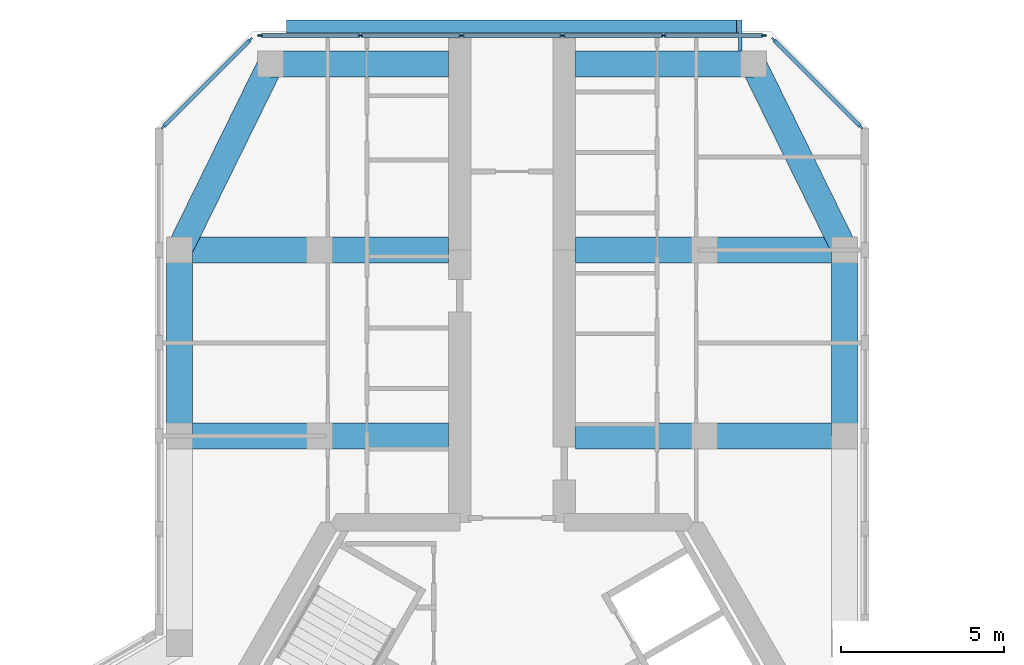
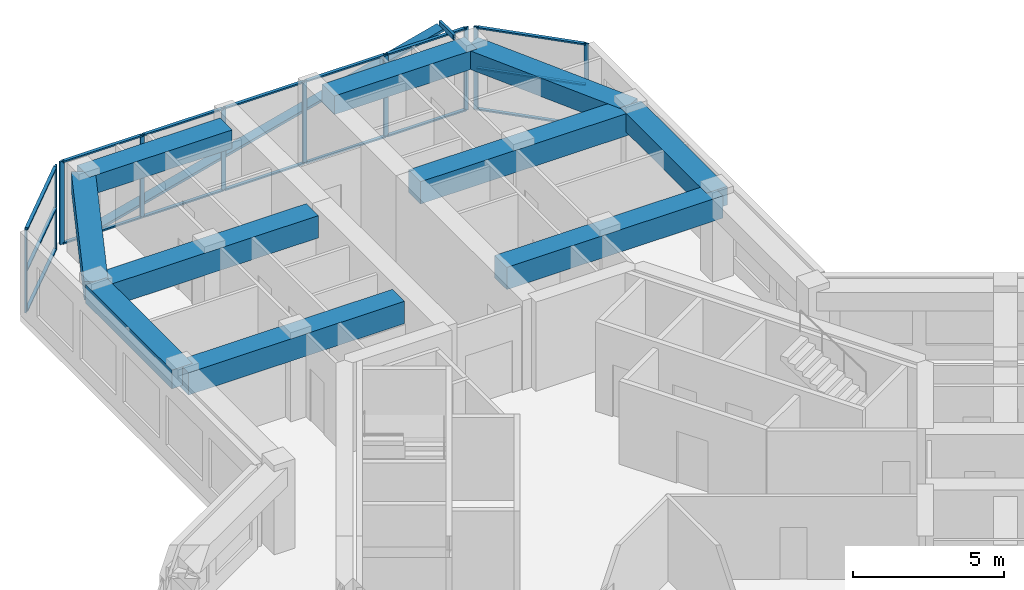
# One storey, part 5 of 14: 28 members, 10 beams, 3 elements without a shape of their own.
"""IFC4 building model written with IfcOpenShell, lengths in metres."""

from ifc_helpers import new_model, si_unit, direction, frame, origin, origin_2d, place, context, subcontext, project, spatial, rectangle, hollow_rectangle, extrude, material, material_profile, profile_set, type_object, element, aggregate, save


model = new_model("IFC4")

# Units and contexts
model_context = context("Model", 3, precision=1e-05, world=origin(), true_north=direction((0.0, 1.0)))
body_context = subcontext(model_context, "Body", "Model", "MODEL_VIEW")
ifc_project = project(units=[si_unit("LENGTHUNIT", "METRE"), si_unit("AREAUNIT", "SQUARE_METRE"), si_unit("VOLUMEUNIT", "CUBIC_METRE"), si_unit("PLANEANGLEUNIT", "RADIAN"), si_unit("MASSUNIT", "GRAM", prefix="KILO")], contexts=[model_context])

# Site, building, storey
site_placement = place(None, origin())
site = spatial("IfcSite", under=ifc_project, at=site_placement, CompositionType="ELEMENT")
building_placement = place(site_placement, origin())
building = spatial("IfcBuilding", under=site, at=building_placement, Name="Kosmar Iwan School Tower", CompositionType="ELEMENT")
storey_placement = place(building_placement, frame((0.0, 0.0, 274.60009765625)))
storey = spatial("IfcBuildingStorey", under=building, at=storey_placement, Name="L69", CompositionType="ELEMENT", Elevation=274.60009765625)

# Members
ifc_material_1 = material(Name="Black anodised aluminium", Category="aluminium")
ifc_material_profile_1 = material_profile(ifc_material_1, rectangle(XDim=0.10009765625, YDim=0.39990234375, at=origin_2d()), Name="FIN 100x400")
ifc_profile_set_1 = profile_set([ifc_material_profile_1], Name="Black anodised aluminium")
member_type_1 = type_object("IfcMemberType", Name="Diagonal fin 100x400", PredefinedType="USERDEFINED", material=ifc_profile_set_1)
member_1_placement = place(storey_placement, frame((-6.898193359375, 24.800048828125, -0.150146484375), z_axis=(0.967599450335, 0.0, 0.252490205179), x_axis=(-0.252490205179, 0.0, 0.967599450335)))
element("IfcMember", 1, at=member_1_placement, inside=storey, type_object=member_type_1, Name="Diagonal fin L69-F08", ObjectType="FIN", PredefinedType="USERDEFINED", context=body_context, shape_type="SweptSolid", body=[
    extrude(rectangle(XDim=0.10009765625, YDim=0.39990234375, at=origin_2d()), origin(), (0.0, 0.0, 1.0), 14.25830078125),
])
ifc_material_2 = material(Name="Steel S355", Category="steel")
ifc_material_profile_2 = material_profile(ifc_material_2, hollow_rectangle(XDim=0.10009765625, YDim=0.199951171875, WallThickness=0.008056640625, at=origin_2d()), Name="RHS 200x100x8")
ifc_profile_set_2 = profile_set([ifc_material_profile_2], Name="Steel S355")
member_type_2 = type_object("IfcMemberType", Name="Fin bracket RHS 200x100", PredefinedType="USERDEFINED", material=ifc_profile_set_2)
member_2_placement = place(storey_placement, frame((7.0, 24.050048828125, 3.474853515625), z_axis=(0.0, 1.0, 0.0), x_axis=(-1.0, 0.0, 0.0)))
element("IfcMember", 2, at=member_2_placement, inside=storey, type_object=member_type_2, Name="Fin bracket L70", ObjectType="FIN BRACKET", PredefinedType="USERDEFINED", context=body_context, shape_type="SweptSolid", body=[
    extrude(hollow_rectangle(XDim=0.10009765625, YDim=0.199951171875, WallThickness=0.008056640625, at=origin_2d()), origin(), (0.0, 0.0, 1.0), 0.949951171875),
])

# Curtain wall, members
ifc_material_3 = material(Name="Dark glass in black aluminium frame", Category="aluminium")
curtain_wall_type_1 = type_object("IfcCurtainWallType", Name="Chamfer curtain wall dark glass", PredefinedType="USERDEFINED", material=ifc_material_3)
curtain_wall_1_placement = place(storey_placement, origin())
curtain_wall_1 = element("IfcCurtainWall", 3, at=curtain_wall_1_placement, inside=storey, type_object=curtain_wall_type_1, Name="Curtain wall L69-F07", ObjectType="FACETED CURTAIN WALL", PredefinedType="USERDEFINED")
ifc_material_4 = material(Name="Black anodised aluminium", Category="aluminium")
ifc_material_profile_3 = material_profile(ifc_material_4, rectangle(XDim=0.06005859375, YDim=0.159912109375, at=origin_2d()), Name="MULLION 60x160")
ifc_profile_set_3 = profile_set([ifc_material_profile_3], Name="Black anodised aluminium")
member_type_3 = type_object("IfcMemberType", Name="Mullion 60x160", PredefinedType="MULLION", material=ifc_profile_set_3)
member_3_placement = place(storey_placement, frame((10.69775390625, 21.7255859375, 0.0), z_axis=(0.0, 0.0, 1.0), x_axis=(-0.707106781187, -0.707106781187, 0.0)))
member_3 = element("IfcMember", 4, at=member_3_placement, type_object=member_type_3, Name="CW2 mullion 1", PredefinedType="MULLION", context=body_context, shape_type="SweptSolid", body=[
    extrude(rectangle(XDim=0.06005859375, YDim=0.159912109375, at=origin_2d()), origin(), (0.0, 0.0, 1.0), 3.349853515625),
])
member_4_placement = place(storey_placement, frame((8.025390625, 24.397705078125, 0.0), z_axis=(0.0, 0.0, 1.0), x_axis=(-0.707106781187, -0.707106781187, 0.0)))
member_4 = element("IfcMember", 5, at=member_4_placement, type_object=member_type_3, Name="CW2 mullion 2", PredefinedType="MULLION", context=body_context, shape_type="SweptSolid", body=[
    extrude(rectangle(XDim=0.06005859375, YDim=0.159912109375, at=origin_2d()), origin(), (0.0, 0.0, 1.0), 3.349853515625),
])

ifc_material_5 = material(Name="Dark glass in black aluminium frame", Category="aluminium")
curtain_wall_type_2 = type_object("IfcCurtainWallType", Name="Tower curtain wall dark glass", PredefinedType="USERDEFINED", material=ifc_material_5)
curtain_wall_2_placement = place(storey_placement, origin())
curtain_wall_2 = element("IfcCurtainWall", 6, at=curtain_wall_2_placement, inside=storey, type_object=curtain_wall_type_2, Name="Curtain wall L69-F08", ObjectType="UNITISED CURTAIN WALL", PredefinedType="USERDEFINED")
member_5_placement = place(storey_placement, frame((7.71826171875, 24.52490234375, 0.0), z_axis=(0.0, 0.0, 1.0), x_axis=(0.0, -1.0, 0.0)))
member_5 = element("IfcMember", 7, at=member_5_placement, type_object=member_type_3, Name="CW1 mullion 1", PredefinedType="MULLION", context=body_context, shape_type="SweptSolid", body=[
    extrude(rectangle(XDim=0.06005859375, YDim=0.159912109375, at=origin_2d()), origin(), (0.0, 0.0, 1.0), 3.349853515625),
])
member_6_placement = place(storey_placement, frame((4.64892578125, 24.52490234375, 0.0), z_axis=(0.0, 0.0, 1.0), x_axis=(0.0, -1.0, 0.0)))
member_6 = element("IfcMember", 8, at=member_6_placement, type_object=member_type_3, Name="CW1 mullion 2", PredefinedType="MULLION", context=body_context, shape_type="SweptSolid", body=[
    extrude(rectangle(XDim=0.06005859375, YDim=0.159912109375, at=origin_2d()), origin(), (0.0, 0.0, 1.0), 3.349853515625),
])
member_7_placement = place(storey_placement, frame((1.549560546875, 24.52490234375, 0.0), z_axis=(0.0, 0.0, 1.0), x_axis=(0.0, -1.0, 0.0)))
member_7 = element("IfcMember", 9, at=member_7_placement, type_object=member_type_3, Name="CW1 mullion 3", PredefinedType="MULLION", context=body_context, shape_type="SweptSolid", body=[
    extrude(rectangle(XDim=0.06005859375, YDim=0.159912109375, at=origin_2d()), origin(), (0.0, 0.0, 1.0), 3.349853515625),
])
member_8_placement = place(storey_placement, frame((-1.549560546875, 24.52490234375, 0.0), z_axis=(0.0, 0.0, 1.0), x_axis=(0.0, -1.0, 0.0)))
member_8 = element("IfcMember", 10, at=member_8_placement, type_object=member_type_3, Name="CW1 mullion 4", PredefinedType="MULLION", context=body_context, shape_type="SweptSolid", body=[
    extrude(rectangle(XDim=0.06005859375, YDim=0.159912109375, at=origin_2d()), origin(), (0.0, 0.0, 1.0), 3.349853515625),
])
member_9_placement = place(storey_placement, frame((-4.64892578125, 24.52490234375, 0.0), z_axis=(0.0, 0.0, 1.0), x_axis=(0.0, -1.0, 0.0)))
member_9 = element("IfcMember", 11, at=member_9_placement, type_object=member_type_3, Name="CW1 mullion 5", PredefinedType="MULLION", context=body_context, shape_type="SweptSolid", body=[
    extrude(rectangle(XDim=0.06005859375, YDim=0.159912109375, at=origin_2d()), origin(), (0.0, 0.0, 1.0), 3.349853515625),
])
member_10_placement = place(storey_placement, frame((-7.71826171875, 24.52490234375, 0.0), z_axis=(0.0, 0.0, 1.0), x_axis=(0.0, -1.0, 0.0)))
member_10 = element("IfcMember", 12, at=member_10_placement, type_object=member_type_3, Name="CW1 mullion 6", PredefinedType="MULLION", context=body_context, shape_type="SweptSolid", body=[
    extrude(rectangle(XDim=0.06005859375, YDim=0.159912109375, at=origin_2d()), origin(), (0.0, 0.0, 1.0), 3.349853515625),
])

curtain_wall_3_placement = place(storey_placement, origin())
curtain_wall_3 = element("IfcCurtainWall", 13, at=curtain_wall_3_placement, inside=storey, type_object=curtain_wall_type_1, Name="Curtain wall L69-F09", ObjectType="FACETED CURTAIN WALL", PredefinedType="USERDEFINED")
member_11_placement = place(storey_placement, frame((-8.025390625, 24.397705078125, 0.0), z_axis=(0.0, 0.0, 1.0), x_axis=(0.707106781187, -0.707106781187, 0.0)))
member_11 = element("IfcMember", 14, at=member_11_placement, type_object=member_type_3, Name="CW2 mullion 1", PredefinedType="MULLION", context=body_context, shape_type="SweptSolid", body=[
    extrude(rectangle(XDim=0.06005859375, YDim=0.159912109375, at=origin_2d()), origin(), (0.0, 0.0, 1.0), 3.349853515625),
])
member_12_placement = place(storey_placement, frame((-10.69775390625, 21.7255859375, 0.0), z_axis=(0.0, 0.0, 1.0), x_axis=(0.707106781187, -0.707106781187, 0.0)))
member_12 = element("IfcMember", 15, at=member_12_placement, type_object=member_type_3, Name="CW2 mullion 2", PredefinedType="MULLION", context=body_context, shape_type="SweptSolid", body=[
    extrude(rectangle(XDim=0.06005859375, YDim=0.159912109375, at=origin_2d()), origin(), (0.0, 0.0, 1.0), 3.349853515625),
])

# Beams
ifc_material_6 = material(Name="Concrete C50/60", Category="concrete")
ifc_material_profile_4 = material_profile(ifc_material_6, rectangle(XDim=0.800048828125, YDim=0.75, at=origin_2d()), Name="RC 800x750")
ifc_profile_set_4 = profile_set([ifc_material_profile_4], Name="Concrete C50/60")
beam_type_1 = type_object("IfcBeamType", Name="RC edge beam 800x750", PredefinedType="BEAM", material=ifc_profile_set_4)
for number, where, z_axis, x_axis, name in (
    (16, (-10.199951171875, 12.25, 2.974853515625), (0.0, 1.0, 0.0), (-1.0, 0.0, 0.0), "Edge beam AL2"),
    (17, (10.199951171875, 12.25, 2.974853515625), (0.0, 1.0, 0.0), (-1.0, 0.0, 0.0), "Edge beam AR2"),
):
    element("IfcBeam", number, at=place(storey_placement, frame(where, z_axis=z_axis, x_axis=x_axis)), inside=storey, type_object=beam_type_1, Name=name, PredefinedType="BEAM", context=body_context, shape_type="SweptSolid", body=[
        extrude(rectangle(XDim=0.800048828125, YDim=0.75, at=origin_2d()), origin(), (0.0, 0.0, 1.0), 5.699951171875),
    ])
ifc_material_7 = material(Name="Concrete C50/60", Category="concrete")
ifc_material_profile_5 = material_profile(ifc_material_7, rectangle(XDim=0.800048828125, YDim=0.75, at=origin_2d()), Name="RC 800x750")
ifc_profile_set_5 = profile_set([ifc_material_profile_5], Name="Concrete C50/60")
beam_type_2 = type_object("IfcBeamType", Name="RC tip beam 800x750", PredefinedType="BEAM", material=ifc_profile_set_5)
beam_1_placement = place(storey_placement, frame((-10.199951171875, 17.949951171875, 2.974853515625), z_axis=(0.440913116462, 0.897549788999, 0.0), x_axis=(-0.897549788999, 0.440913116462, 0.0)))
element("IfcBeam", 18, at=beam_1_placement, inside=storey, type_object=beam_type_2, Name="Tip beam AL", PredefinedType="BEAM", context=body_context, shape_type="SweptSolid", body=[
    extrude(rectangle(XDim=0.800048828125, YDim=0.75, at=origin_2d()), origin(), (0.0, 0.0, 1.0), 6.3505859375),
])
beam_2_placement = place(storey_placement, frame((-7.39990234375, 23.64990234375, 2.974853515625), z_axis=(1.0, 0.0, 0.0), x_axis=(0.0, 1.0, 0.0)))
element("IfcBeam", 19, at=beam_2_placement, inside=storey, type_object=beam_type_2, Name="Tip beam AL to corridor wall", PredefinedType="BEAM", context=body_context, shape_type="SweptSolid", body=[
    extrude(rectangle(XDim=0.800048828125, YDim=0.75, at=origin_2d()), origin(), (0.0, 0.0, 1.0), 5.449951171875),
])
beam_3_placement = place(storey_placement, frame((10.199951171875, 17.949951171875, 2.974853515625), z_axis=(-0.440913116462, 0.897549788999, 0.0), x_axis=(-0.897549788999, -0.440913116462, 0.0)))
element("IfcBeam", 20, at=beam_3_placement, inside=storey, type_object=beam_type_2, Name="Tip beam AR", PredefinedType="BEAM", context=body_context, shape_type="SweptSolid", body=[
    extrude(rectangle(XDim=0.800048828125, YDim=0.75, at=origin_2d()), origin(), (0.0, 0.0, 1.0), 6.3505859375),
])
beam_4_placement = place(storey_placement, frame((7.39990234375, 23.64990234375, 2.974853515625), z_axis=(-1.0, 0.0, 0.0), x_axis=(0.0, -1.0, 0.0)))
element("IfcBeam", 21, at=beam_4_placement, inside=storey, type_object=beam_type_2, Name="Tip beam AR to corridor wall", PredefinedType="BEAM", context=body_context, shape_type="SweptSolid", body=[
    extrude(rectangle(XDim=0.800048828125, YDim=0.75, at=origin_2d()), origin(), (0.0, 0.0, 1.0), 5.449951171875),
])
ifc_material_8 = material(Name="Concrete C50/60", Category="concrete")
ifc_material_profile_6 = material_profile(ifc_material_8, rectangle(XDim=0.800048828125, YDim=0.89990234375, at=origin_2d()), Name="RC 800x900")
ifc_profile_set_6 = profile_set([ifc_material_profile_6], Name="Concrete C50/60")
beam_type_3 = type_object("IfcBeamType", Name="RC transverse beam 800x900", PredefinedType="BEAM", material=ifc_profile_set_6)
for number, where, z_axis, x_axis, name in (
    (22, (-10.199951171875, 12.25, 2.89990234375), (1.0, 0.0, 0.0), (0.0, 1.0, 0.0), "Transverse beam AL1"),
    (23, (-10.199951171875, 17.949951171875, 2.89990234375), (1.0, 0.0, 0.0), (0.0, 1.0, 0.0), "Transverse beam AL2"),
    (24, (10.199951171875, 12.25, 2.89990234375), (-1.0, 0.0, 0.0), (0.0, -1.0, 0.0), "Transverse beam AR1"),
    (25, (10.199951171875, 17.949951171875, 2.89990234375), (-1.0, 0.0, 0.0), (0.0, -1.0, 0.0), "Transverse beam AR2"),
):
    element("IfcBeam", number, at=place(storey_placement, frame(where, z_axis=z_axis, x_axis=x_axis)), inside=storey, type_object=beam_type_3, Name=name, PredefinedType="BEAM", context=body_context, shape_type="SweptSolid", body=[
        extrude(rectangle(XDim=0.800048828125, YDim=0.89990234375, at=origin_2d()), origin(), (0.0, 0.0, 1.0), 8.25),
    ])

# Member
ifc_material_9 = material(Name="Black anodised aluminium", Category="aluminium")
ifc_material_profile_7 = material_profile(ifc_material_9, rectangle(XDim=0.1201171875, YDim=0.06005859375, at=origin_2d()), Name="TRANSOM 60x120")
ifc_profile_set_7 = profile_set([ifc_material_profile_7], Name="Black anodised aluminium")
member_type_4 = type_object("IfcMemberType", Name="Transom 60x120", PredefinedType="USERDEFINED", material=ifc_profile_set_7)
member_13_placement = place(storey_placement, frame((10.676513671875, 21.746826171875, 0.02978515625), z_axis=(-0.707139603466, 0.707073957383, 0.0), x_axis=(-0.707073957383, -0.707139603466, 0.0)))
member_13 = element("IfcMember", 26, at=member_13_placement, type_object=member_type_4, Name="CW2 transom 1.1", ObjectType="TRANSOM", PredefinedType="USERDEFINED", context=body_context, shape_type="SweptSolid", body=[
    extrude(rectangle(XDim=0.1201171875, YDim=0.06005859375, at=origin_2d()), origin(), (0.0, 0.0, 1.0), 3.718994140625),
])

member_14_placement = place(storey_placement, frame((10.676513671875, 21.746826171875, 1.6748046875), z_axis=(-0.707139603466, 0.707073957383, 0.0), x_axis=(-0.707073957383, -0.707139603466, 0.0)))
member_14 = element("IfcMember", 27, at=member_14_placement, type_object=member_type_4, Name="CW2 transom 1.2", ObjectType="TRANSOM", PredefinedType="USERDEFINED", context=body_context, shape_type="SweptSolid", body=[
    extrude(rectangle(XDim=0.1201171875, YDim=0.06005859375, at=origin_2d()), origin(), (0.0, 0.0, 1.0), 3.718994140625),
])

member_15_placement = place(storey_placement, frame((10.676513671875, 21.746826171875, 3.31982421875), z_axis=(-0.707139603466, 0.707073957383, 0.0), x_axis=(-0.707073957383, -0.707139603466, 0.0)))
member_15 = element("IfcMember", 28, at=member_15_placement, type_object=member_type_4, Name="CW2 transom 1.3", ObjectType="TRANSOM", PredefinedType="USERDEFINED", context=body_context, shape_type="SweptSolid", body=[
    extrude(rectangle(XDim=0.1201171875, YDim=0.06005859375, at=origin_2d()), origin(), (0.0, 0.0, 1.0), 3.718994140625),
])

aggregate(curtain_wall_1, [member_3, member_4, member_13, member_14, member_15])

member_16_placement = place(storey_placement, frame((7.688232421875, 24.52490234375, 0.02978515625), z_axis=(-1.0, 0.0, 0.0), x_axis=(0.0, -1.0, 0.0)))
member_16 = element("IfcMember", 29, at=member_16_placement, type_object=member_type_4, Name="CW1 transom 1.1", ObjectType="TRANSOM", PredefinedType="USERDEFINED", context=body_context, shape_type="SweptSolid", body=[
    extrude(rectangle(XDim=0.1201171875, YDim=0.06005859375, at=origin_2d()), origin(), (0.0, 0.0, 1.0), 3.00927734375),
])

member_17_placement = place(storey_placement, frame((7.688232421875, 24.52490234375, 3.31982421875), z_axis=(-1.0, 0.0, 0.0), x_axis=(0.0, -1.0, 0.0)))
member_17 = element("IfcMember", 30, at=member_17_placement, type_object=member_type_4, Name="CW1 transom 1.2", ObjectType="TRANSOM", PredefinedType="USERDEFINED", context=body_context, shape_type="SweptSolid", body=[
    extrude(rectangle(XDim=0.1201171875, YDim=0.06005859375, at=origin_2d()), origin(), (0.0, 0.0, 1.0), 3.00927734375),
])

member_18_placement = place(storey_placement, frame((4.618896484375, 24.52490234375, 0.02978515625), z_axis=(-1.0, 0.0, 0.0), x_axis=(0.0, -1.0, 0.0)))
member_18 = element("IfcMember", 31, at=member_18_placement, type_object=member_type_4, Name="CW1 transom 2.1", ObjectType="TRANSOM", PredefinedType="USERDEFINED", context=body_context, shape_type="SweptSolid", body=[
    extrude(rectangle(XDim=0.1201171875, YDim=0.06005859375, at=origin_2d()), origin(), (0.0, 0.0, 1.0), 3.039306640625),
])

member_19_placement = place(storey_placement, frame((4.618896484375, 24.52490234375, 3.31982421875), z_axis=(-1.0, 0.0, 0.0), x_axis=(0.0, -1.0, 0.0)))
member_19 = element("IfcMember", 32, at=member_19_placement, type_object=member_type_4, Name="CW1 transom 2.2", ObjectType="TRANSOM", PredefinedType="USERDEFINED", context=body_context, shape_type="SweptSolid", body=[
    extrude(rectangle(XDim=0.1201171875, YDim=0.06005859375, at=origin_2d()), origin(), (0.0, 0.0, 1.0), 3.039306640625),
])

member_20_placement = place(storey_placement, frame((1.51953125, 24.52490234375, 0.02978515625), z_axis=(-1.0, 0.0, 0.0), x_axis=(0.0, -1.0, 0.0)))
member_20 = element("IfcMember", 33, at=member_20_placement, type_object=member_type_4, Name="CW1 transom 3.1", ObjectType="TRANSOM", PredefinedType="USERDEFINED", context=body_context, shape_type="SweptSolid", body=[
    extrude(rectangle(XDim=0.1201171875, YDim=0.06005859375, at=origin_2d()), origin(), (0.0, 0.0, 1.0), 3.0390625),
])

member_21_placement = place(storey_placement, frame((1.51953125, 24.52490234375, 3.31982421875), z_axis=(-1.0, 0.0, 0.0), x_axis=(0.0, -1.0, 0.0)))
member_21 = element("IfcMember", 34, at=member_21_placement, type_object=member_type_4, Name="CW1 transom 3.2", ObjectType="TRANSOM", PredefinedType="USERDEFINED", context=body_context, shape_type="SweptSolid", body=[
    extrude(rectangle(XDim=0.1201171875, YDim=0.06005859375, at=origin_2d()), origin(), (0.0, 0.0, 1.0), 3.0390625),
])

member_22_placement = place(storey_placement, frame((-1.57958984375, 24.52490234375, 0.02978515625), z_axis=(-1.0, 0.0, 0.0), x_axis=(0.0, -1.0, 0.0)))
member_22 = element("IfcMember", 35, at=member_22_placement, type_object=member_type_4, Name="CW1 transom 4.1", ObjectType="TRANSOM", PredefinedType="USERDEFINED", context=body_context, shape_type="SweptSolid", body=[
    extrude(rectangle(XDim=0.1201171875, YDim=0.06005859375, at=origin_2d()), origin(), (0.0, 0.0, 1.0), 3.039306640625),
])

member_23_placement = place(storey_placement, frame((-1.57958984375, 24.52490234375, 3.31982421875), z_axis=(-1.0, 0.0, 0.0), x_axis=(0.0, -1.0, 0.0)))
member_23 = element("IfcMember", 36, at=member_23_placement, type_object=member_type_4, Name="CW1 transom 4.2", ObjectType="TRANSOM", PredefinedType="USERDEFINED", context=body_context, shape_type="SweptSolid", body=[
    extrude(rectangle(XDim=0.1201171875, YDim=0.06005859375, at=origin_2d()), origin(), (0.0, 0.0, 1.0), 3.039306640625),
])

member_24_placement = place(storey_placement, frame((-4.678955078125, 24.52490234375, 0.02978515625), z_axis=(-1.0, 0.0, 0.0), x_axis=(0.0, -1.0, 0.0)))
member_24 = element("IfcMember", 37, at=member_24_placement, type_object=member_type_4, Name="CW1 transom 5.1", ObjectType="TRANSOM", PredefinedType="USERDEFINED", context=body_context, shape_type="SweptSolid", body=[
    extrude(rectangle(XDim=0.1201171875, YDim=0.06005859375, at=origin_2d()), origin(), (0.0, 0.0, 1.0), 3.00927734375),
])

member_25_placement = place(storey_placement, frame((-4.678955078125, 24.52490234375, 3.31982421875), z_axis=(-1.0, 0.0, 0.0), x_axis=(0.0, -1.0, 0.0)))
member_25 = element("IfcMember", 38, at=member_25_placement, type_object=member_type_4, Name="CW1 transom 5.2", ObjectType="TRANSOM", PredefinedType="USERDEFINED", context=body_context, shape_type="SweptSolid", body=[
    extrude(rectangle(XDim=0.1201171875, YDim=0.06005859375, at=origin_2d()), origin(), (0.0, 0.0, 1.0), 3.00927734375),
])

aggregate(curtain_wall_2, [member_5, member_6, member_7, member_8, member_9, member_10, member_16, member_17, member_18, member_19, member_20, member_21, member_22, member_23, member_24, member_25])

member_26_placement = place(storey_placement, frame((-8.046630859375, 24.37646484375, 0.02978515625), z_axis=(-0.707139603466, -0.707073957383, 0.0), x_axis=(0.707073957383, -0.707139603466, 0.0)))
member_26 = element("IfcMember", 39, at=member_26_placement, type_object=member_type_4, Name="CW2 transom 1.1", ObjectType="TRANSOM", PredefinedType="USERDEFINED", context=body_context, shape_type="SweptSolid", body=[
    extrude(rectangle(XDim=0.1201171875, YDim=0.06005859375, at=origin_2d()), origin(), (0.0, 0.0, 1.0), 3.718994140625),
])

member_27_placement = place(storey_placement, frame((-8.046630859375, 24.37646484375, 1.6748046875), z_axis=(-0.707139603466, -0.707073957383, 0.0), x_axis=(0.707073957383, -0.707139603466, 0.0)))
member_27 = element("IfcMember", 40, at=member_27_placement, type_object=member_type_4, Name="CW2 transom 1.2", ObjectType="TRANSOM", PredefinedType="USERDEFINED", context=body_context, shape_type="SweptSolid", body=[
    extrude(rectangle(XDim=0.1201171875, YDim=0.06005859375, at=origin_2d()), origin(), (0.0, 0.0, 1.0), 3.718994140625),
])

member_28_placement = place(storey_placement, frame((-8.046630859375, 24.37646484375, 3.31982421875), z_axis=(-0.707139603466, -0.707073957383, 0.0), x_axis=(0.707073957383, -0.707139603466, 0.0)))
member_28 = element("IfcMember", 41, at=member_28_placement, type_object=member_type_4, Name="CW2 transom 1.3", ObjectType="TRANSOM", PredefinedType="USERDEFINED", context=body_context, shape_type="SweptSolid", body=[
    extrude(rectangle(XDim=0.1201171875, YDim=0.06005859375, at=origin_2d()), origin(), (0.0, 0.0, 1.0), 3.718994140625),
])

aggregate(curtain_wall_3, [member_11, member_12, member_26, member_27, member_28])

save(model, "model.ifc")
